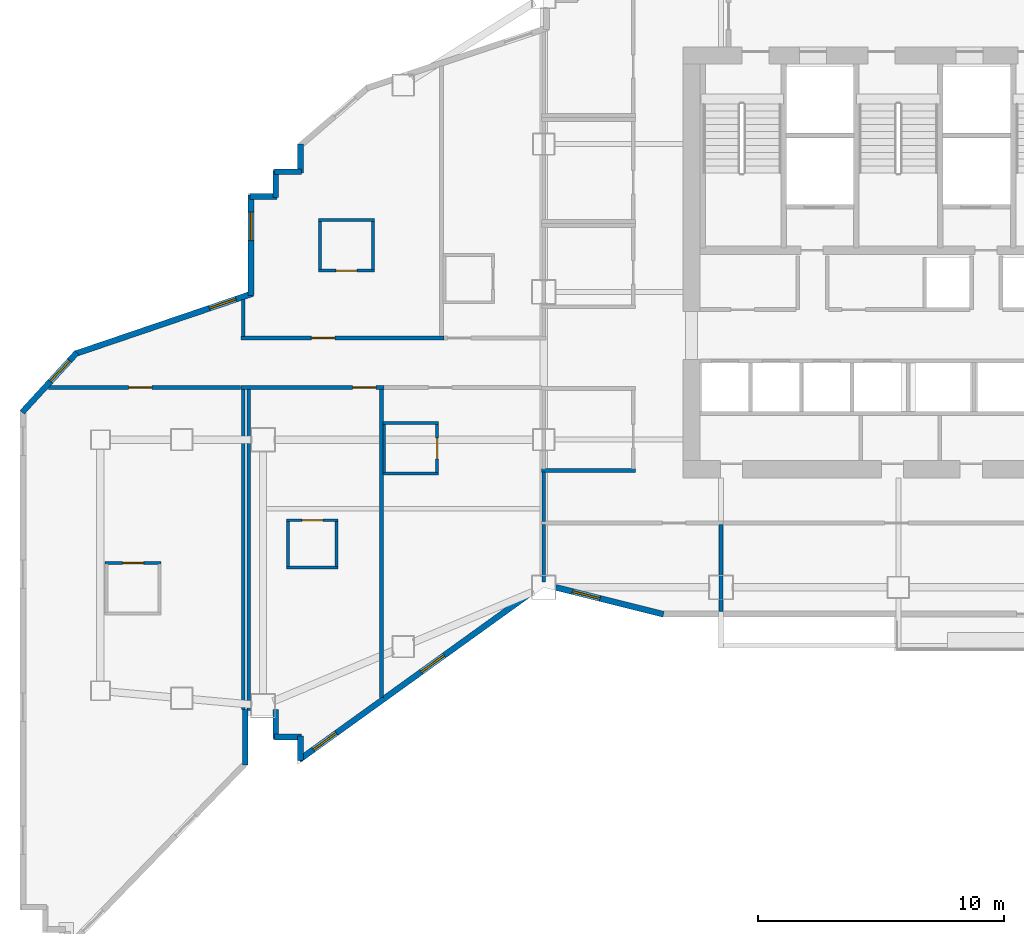
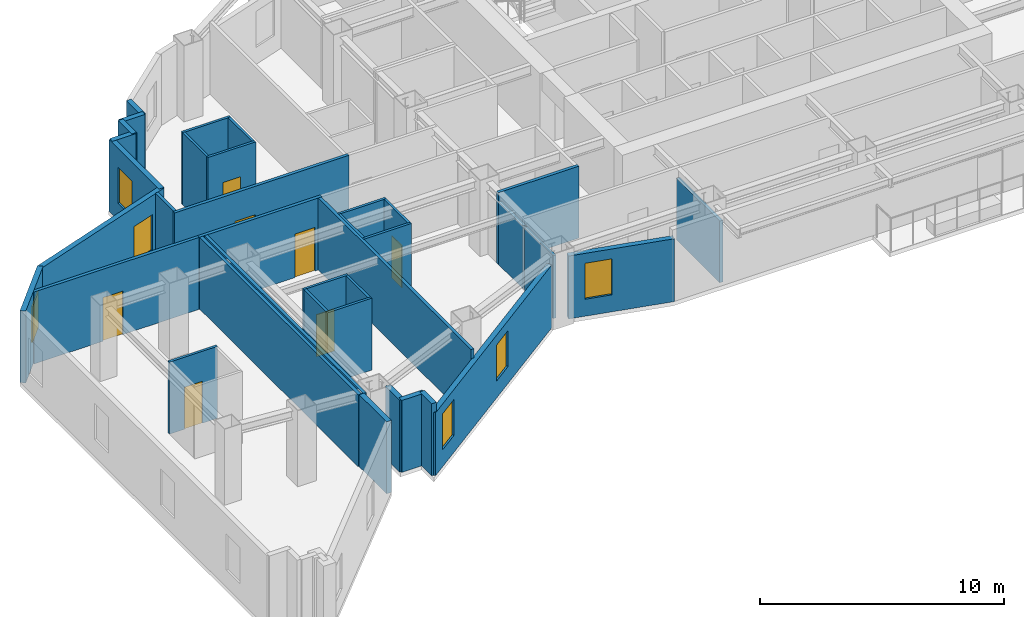
# One storey, part 5 of 13: 37 walls, 7 doors, 6 windows, 13 openings.
"""IFC4 building model written with IfcOpenShell, lengths in metres."""

from ifc_helpers import new_model, si_unit, direction, frame, frame_2d, origin, place, context, subcontext, project, spatial, rectangle, extrude, material, layer, layer_set, type_object, element, fill, save


model = new_model("IFC4")

# Units and contexts
model_context = context("Model", 3, precision=1e-05, world=origin(), true_north=direction((0.0, 1.0)))
body_context = subcontext(model_context, "Body", "Model", "MODEL_VIEW")
ifc_project = project(units=[si_unit("LENGTHUNIT", "METRE"), si_unit("AREAUNIT", "SQUARE_METRE"), si_unit("VOLUMEUNIT", "CUBIC_METRE"), si_unit("PLANEANGLEUNIT", "RADIAN"), si_unit("MASSUNIT", "GRAM", prefix="KILO")], contexts=[model_context])

# Site, building, storey
site_placement = place(None, origin())
site = spatial("IfcSite", under=ifc_project, at=site_placement, CompositionType="ELEMENT")
building_placement = place(site_placement, origin())
building = spatial("IfcBuilding", under=site, at=building_placement, Name="Haolan Belvedere Tower", CompositionType="ELEMENT")
storey_placement = place(building_placement, frame((0.0, 0.0, 106.0)))
storey = spatial("IfcBuildingStorey", under=building, at=storey_placement, Name="L26", CompositionType="ELEMENT", Elevation=106.0)

# Walls
ifc_material_1 = material(Name="Precast concrete C40/50", Category="concrete")
ifc_layer_1 = layer(ifc_material_1, 0.239990234375, Name="Precast concrete C40/50")
ifc_layer_set_1 = layer_set([ifc_layer_1], Name="Precast concrete C40/50")
wall_type_1 = type_object("IfcWallType", Name="WL-EXT-240", PredefinedType="SOLIDWALL", material=ifc_layer_set_1)
wall_1_placement = place(storey_placement, frame((13.1201171875, 16.639892578125, 0.0), z_axis=(0.0, 0.0, 1.0), x_axis=(0.0, -1.0, 0.0)))
element("IfcWall", 1, at=wall_1_placement, inside=storey, type_object=wall_type_1, Name="L26 pale-metal exterior spandrel wall 2.1", PredefinedType="SOLIDWALL", context=body_context, shape_type="SweptSolid", body=[
    extrude(rectangle(XDim=1.1748046875, YDim=0.239990234375, at=frame_2d((0.58740234375, 0.0))), origin(), (0.0, 0.0, 1.0), 3.60009765625),
])
wall_2_placement = place(storey_placement, frame((13.06494140625, 15.52001953125, 0.0), z_axis=(0.0, 0.0, 1.0), x_axis=(1.0, 0.0, 0.0)))
element("IfcWall", 2, at=wall_2_placement, inside=storey, type_object=wall_type_1, Name="L26 pale-metal exterior spandrel wall 3.1", PredefinedType="SOLIDWALL", context=body_context, shape_type="SweptSolid", body=[
    extrude(rectangle(XDim=1.110107421875, YDim=0.239990234375, at=frame_2d((0.55517578125, 0.0))), origin(), (0.0, 0.0, 1.0), 3.60009765625),
])
wall_3_placement = place(storey_placement, frame((14.1201171875, 15.574951171875, 0.0), z_axis=(0.0, 0.0, 1.0), x_axis=(0.0, -1.0, 0.0)))
element("IfcWall", 3, at=wall_3_placement, inside=storey, type_object=wall_type_1, Name="L26 pale-metal exterior spandrel wall 4.1", PredefinedType="SOLIDWALL", context=body_context, shape_type="SweptSolid", body=[
    extrude(rectangle(XDim=0.99560546875, YDim=0.239990234375, at=frame_2d((0.497802734375, 0.0))), origin(), (0.0, 0.0, 1.0), 3.60009765625),
])

# Wall, openings, windows
wall_4_placement = place(storey_placement, frame((14.075439453125, 14.602294921875, 0.0), z_axis=(0.0, 0.0, 1.0), x_axis=(0.811543504691, 0.584291998913, 0.0)))
wall_4 = element("IfcWall", 4, at=wall_4_placement, inside=storey, type_object=wall_type_1, Name="L26 pale-metal exterior spandrel wall 5.1", PredefinedType="SOLIDWALL", context=body_context, shape_type="SweptSolid", body=[
    extrude(rectangle(XDim=11.623046875, YDim=0.239990234375, at=frame_2d((5.8115234375, 0.0))), origin(), (0.0, 0.0, 1.0), 3.14501953125),
])
opening_1_placement = place(wall_4_placement, frame((0.699951171875, 0.0, 0.85009765625)))
opening_1 = element("IfcOpeningElement", 5, at=opening_1_placement, cuts=wall_4, Name="Opening W-02", PredefinedType="OPENING", context=body_context, shape_type="SweptSolid", body=[
    extrude(rectangle(XDim=1.14990234375, YDim=1.800048828125, at=frame_2d((0.574951171875, 0.89990234375))), frame((0.0, 0.1298828125, 0.0), z_axis=(0.0, -1.0, 0.0), x_axis=(1.0, 0.0, 0.0)), (0.0, 0.0, 1.0), 0.260009765625),
])
opening_2_placement = place(wall_4_placement, frame((6.10009765625, 0.0, 0.85009765625)))
opening_2 = element("IfcOpeningElement", 6, at=opening_2_placement, cuts=wall_4, Name="Opening W-02", PredefinedType="OPENING", context=body_context, shape_type="SweptSolid", body=[
    extrude(rectangle(XDim=1.14990234375, YDim=1.800048828125, at=frame_2d((0.574951171875, 0.89990234375))), frame((0.0, 0.1298828125, 0.0), z_axis=(0.0, -1.0, 0.0), x_axis=(1.0, 0.0, 0.0)), (0.0, 0.0, 1.0), 0.260009765625),
])
ifc_material_2 = material(Name="Anodised aluminium 6063-T6 and Low-E glass", Category="aluminium")
window_type = type_object("IfcWindowType", Name="WN-DECO-Z2", PartitioningType="SINGLE_PANEL", PredefinedType="WINDOW", material=ifc_material_2)
window_1_placement = place(opening_1_placement, origin())
window_1 = element("IfcWindow", 7, at=window_1_placement, inside=storey, type_object=window_type, Name="L26 Art Deco chevron window 1", OverallHeight=1.800048828125, OverallWidth=1.14990234375, PartitioningType="SINGLE_PANEL", PredefinedType="WINDOW", context=body_context, shape_type="SweptSolid", body=[
    extrude(rectangle(XDim=1.14990234375, YDim=1.800048828125, at=frame_2d((0.574951171875, 0.89990234375))), frame((0.0, 0.030029296875, 0.0), z_axis=(0.0, -1.0, 0.0), x_axis=(1.0, 0.0, 0.0)), (0.0, 0.0, 1.0), 0.06005859375),
])
fill(opening_1, window_1)
window_2_placement = place(opening_2_placement, origin())
window_2 = element("IfcWindow", 8, at=window_2_placement, inside=storey, type_object=window_type, Name="L26 Art Deco chevron window 2", OverallHeight=1.800048828125, OverallWidth=1.14990234375, PartitioningType="SINGLE_PANEL", PredefinedType="WINDOW", context=body_context, shape_type="SweptSolid", body=[
    extrude(rectangle(XDim=1.14990234375, YDim=1.800048828125, at=frame_2d((0.574951171875, 0.89990234375))), frame((0.0, 0.030029296875, 0.0), z_axis=(0.0, -1.0, 0.0), x_axis=(1.0, 0.0, 0.0)), (0.0, 0.0, 1.0), 0.06005859375),
])
fill(opening_2, window_2)

# Wall, opening, window
wall_5_placement = place(storey_placement, frame((24.491943359375, 21.6005859375, 0.0), z_axis=(0.0, 0.0, 1.0), x_axis=(0.970145683738, -0.242522890311, 0.0)))
wall_5 = element("IfcWall", 9, at=wall_5_placement, inside=storey, type_object=wall_type_1, Name="L26 pale-metal exterior spandrel wall 6.1", PredefinedType="SOLIDWALL", context=body_context, shape_type="SweptSolid", body=[
    extrude(rectangle(XDim=4.510986328125, YDim=0.239990234375, at=frame_2d((2.25537109375, 0.0))), origin(), (0.0, 0.0, 1.0), 3.14501953125),
])
opening_3_placement = place(wall_5_placement, frame((0.699951171875, 0.0, 0.85009765625)))
opening_3 = element("IfcOpeningElement", 10, at=opening_3_placement, cuts=wall_5, Name="Opening W-02", PredefinedType="OPENING", context=body_context, shape_type="SweptSolid", body=[
    extrude(rectangle(XDim=1.14990234375, YDim=1.800048828125, at=frame_2d((0.574951171875, 0.89990234375))), frame((0.0, 0.1298828125, 0.0), z_axis=(0.0, -1.0, 0.0), x_axis=(1.0, 0.0, 0.0)), (0.0, 0.0, 1.0), 0.260009765625),
])
window_3_placement = place(opening_3_placement, origin())
window_3 = element("IfcWindow", 11, at=window_3_placement, inside=storey, type_object=window_type, Name="L26 Art Deco chevron window 1", OverallHeight=1.800048828125, OverallWidth=1.14990234375, PartitioningType="SINGLE_PANEL", PredefinedType="WINDOW", context=body_context, shape_type="SweptSolid", body=[
    extrude(rectangle(XDim=1.14990234375, YDim=1.800048828125, at=frame_2d((0.574951171875, 0.89990234375))), frame((0.0, 0.030029296875, 0.0), z_axis=(0.0, -1.0, 0.0), x_axis=(1.0, 0.0, 0.0)), (0.0, 0.0, 1.0), 0.06005859375),
])
fill(opening_3, window_3)

# Walls
wall_6_placement = place(storey_placement, frame((14.1201171875, 39.599853515625, 0.0), z_axis=(0.0, 0.0, 1.0), x_axis=(0.0, -1.0, 0.0)))
element("IfcWall", 12, at=wall_6_placement, inside=storey, type_object=wall_type_1, Name="L26 pale-metal exterior spandrel wall 37.1", PredefinedType="SOLIDWALL", context=body_context, shape_type="SweptSolid", body=[
    extrude(rectangle(XDim=1.1748046875, YDim=0.239990234375, at=frame_2d((0.58740234375, 0.0))), origin(), (0.0, 0.0, 1.0), 3.60009765625),
])
wall_7_placement = place(storey_placement, frame((14.175048828125, 38.47998046875, 0.0), z_axis=(0.0, 0.0, 1.0), x_axis=(-1.0, 0.0, 0.0)))
element("IfcWall", 13, at=wall_7_placement, inside=storey, type_object=wall_type_1, Name="L26 pale-metal exterior spandrel wall 38.1", PredefinedType="SOLIDWALL", context=body_context, shape_type="SweptSolid", body=[
    extrude(rectangle(XDim=1.110107421875, YDim=0.239990234375, at=frame_2d((0.55517578125, 0.0))), origin(), (0.0, 0.0, 1.0), 3.60009765625),
])
wall_8_placement = place(storey_placement, frame((13.1201171875, 38.534912109375, 0.0), z_axis=(0.0, 0.0, 1.0), x_axis=(0.0, -1.0, 0.0)))
element("IfcWall", 14, at=wall_8_placement, inside=storey, type_object=wall_type_1, Name="L26 pale-metal exterior spandrel wall 39.1", PredefinedType="SOLIDWALL", context=body_context, shape_type="SweptSolid", body=[
    extrude(rectangle(XDim=1.10986328125, YDim=0.239990234375, at=frame_2d((0.554931640625, 0.0))), origin(), (0.0, 0.0, 1.0), 3.60009765625),
])
wall_9_placement = place(storey_placement, frame((13.175048828125, 37.47998046875, 0.0), z_axis=(0.0, 0.0, 1.0), x_axis=(-1.0, 0.0, 0.0)))
element("IfcWall", 15, at=wall_9_placement, inside=storey, type_object=wall_type_1, Name="L26 pale-metal exterior spandrel wall 40.1", PredefinedType="SOLIDWALL", context=body_context, shape_type="SweptSolid", body=[
    extrude(rectangle(XDim=1.110107421875, YDim=0.239990234375, at=frame_2d((0.55517578125, 0.0))), origin(), (0.0, 0.0, 1.0), 3.60009765625),
])

# Wall, opening, window
wall_10_placement = place(storey_placement, frame((12.1201171875, 37.534912109375, 0.0), z_axis=(0.0, 0.0, 1.0), x_axis=(0.0, -1.0, 0.0)))
wall_10 = element("IfcWall", 16, at=wall_10_placement, inside=storey, type_object=wall_type_1, Name="L26 pale-metal exterior spandrel wall 41.1", PredefinedType="SOLIDWALL", context=body_context, shape_type="SweptSolid", body=[
    extrude(rectangle(XDim=4.075927734375, YDim=0.239990234375, at=frame_2d((2.0380859375, 0.0))), origin(), (0.0, 0.0, 1.0), 3.60009765625),
])
opening_4_placement = place(wall_10_placement, frame((0.699951171875, 0.0, 0.85009765625)))
opening_4 = element("IfcOpeningElement", 17, at=opening_4_placement, cuts=wall_10, Name="Opening W-02", PredefinedType="OPENING", context=body_context, shape_type="SweptSolid", body=[
    extrude(rectangle(XDim=1.14990234375, YDim=1.800048828125, at=frame_2d((0.574951171875, 0.89990234375))), frame((0.0, 0.1298828125, 0.0), z_axis=(0.0, -1.0, 0.0), x_axis=(1.0, 0.0, 0.0)), (0.0, 0.0, 1.0), 0.260009765625),
])
window_4_placement = place(opening_4_placement, origin())
window_4 = element("IfcWindow", 18, at=window_4_placement, inside=storey, type_object=window_type, Name="L26 Art Deco chevron window 1", OverallHeight=1.800048828125, OverallWidth=1.14990234375, PartitioningType="SINGLE_PANEL", PredefinedType="WINDOW", context=body_context, shape_type="SweptSolid", body=[
    extrude(rectangle(XDim=1.14990234375, YDim=1.800048828125, at=frame_2d((0.574951171875, 0.89990234375))), frame((0.0, 0.030029296875, 0.0), z_axis=(0.0, -1.0, 0.0), x_axis=(1.0, 0.0, 0.0)), (0.0, 0.0, 1.0), 0.06005859375),
])
fill(opening_4, window_4)

wall_11_placement = place(storey_placement, frame((12.172119140625, 33.53173828125, 0.0), z_axis=(0.0, 0.0, 1.0), x_axis=(-0.946792852546, -0.321843586805, 0.0)))
wall_11 = element("IfcWall", 19, at=wall_11_placement, inside=storey, type_object=wall_type_1, Name="L26 pale-metal exterior spandrel wall 42.1", PredefinedType="SOLIDWALL", context=body_context, shape_type="SweptSolid", body=[
    extrude(rectangle(XDim=7.6220703125, YDim=0.239990234375, at=frame_2d((3.81103515625, 0.0))), origin(), (0.0, 0.0, 1.0), 3.60009765625),
])
opening_5_placement = place(wall_11_placement, frame((0.699951171875, 0.0, 0.85009765625)))
opening_5 = element("IfcOpeningElement", 20, at=opening_5_placement, cuts=wall_11, Name="Opening W-02", PredefinedType="OPENING", context=body_context, shape_type="SweptSolid", body=[
    extrude(rectangle(XDim=1.14990234375, YDim=1.800048828125, at=frame_2d((0.574951171875, 0.89990234375))), frame((0.0, 0.1298828125, 0.0), z_axis=(0.0, -1.0, 0.0), x_axis=(1.0, 0.0, 0.0)), (0.0, 0.0, 1.0), 0.260009765625),
])
window_5_placement = place(opening_5_placement, origin())
window_5 = element("IfcWindow", 21, at=window_5_placement, inside=storey, type_object=window_type, Name="L26 Art Deco chevron window 1", OverallHeight=1.800048828125, OverallWidth=1.14990234375, PartitioningType="SINGLE_PANEL", PredefinedType="WINDOW", context=body_context, shape_type="SweptSolid", body=[
    extrude(rectangle(XDim=1.14990234375, YDim=1.800048828125, at=frame_2d((0.574951171875, 0.89990234375))), frame((0.0, 0.030029296875, 0.0), z_axis=(0.0, -1.0, 0.0), x_axis=(1.0, 0.0, 0.0)), (0.0, 0.0, 1.0), 0.06005859375),
])
fill(opening_5, window_5)

wall_12_placement = place(storey_placement, frame((5.044921875, 31.13671875, 0.0), z_axis=(0.0, 0.0, 1.0), x_axis=(-0.675778419356, -0.73710482832, 0.0)))
wall_12 = element("IfcWall", 22, at=wall_12_placement, inside=storey, type_object=wall_type_1, Name="L26 pale-metal exterior spandrel wall 43.1", PredefinedType="SOLIDWALL", context=body_context, shape_type="SweptSolid", body=[
    extrude(rectangle(XDim=3.288330078125, YDim=0.239990234375, at=frame_2d((1.64404296875, 0.0))), origin(), (0.0, 0.0, 1.0), 3.60009765625),
])
opening_6_placement = place(wall_12_placement, frame((0.440673828125, 0.0, 0.85009765625)))
opening_6 = element("IfcOpeningElement", 23, at=opening_6_placement, cuts=wall_12, Name="Opening W-02", PredefinedType="OPENING", context=body_context, shape_type="SweptSolid", body=[
    extrude(rectangle(XDim=1.14990234375, YDim=1.800048828125, at=frame_2d((0.574951171875, 0.89990234375))), frame((0.0, 0.1298828125, 0.0), z_axis=(0.0, -1.0, 0.0), x_axis=(1.0, 0.0, 0.0)), (0.0, 0.0, 1.0), 0.260009765625),
])
window_6_placement = place(opening_6_placement, origin())
window_6 = element("IfcWindow", 24, at=window_6_placement, inside=storey, type_object=window_type, Name="L26 Art Deco chevron window 1", OverallHeight=1.800048828125, OverallWidth=1.14990234375, PartitioningType="SINGLE_PANEL", PredefinedType="WINDOW", context=body_context, shape_type="SweptSolid", body=[
    extrude(rectangle(XDim=1.14990234375, YDim=1.800048828125, at=frame_2d((0.574951171875, 0.89990234375))), frame((0.0, 0.030029296875, 0.0), z_axis=(0.0, -1.0, 0.0), x_axis=(1.0, 0.0, 0.0)), (0.0, 0.0, 1.0), 0.06005859375),
])
fill(opening_6, window_6)

# Walls
wall_13_placement = place(storey_placement, frame((11.8798828125, 14.3935546875, 0.0), z_axis=(0.0, 0.0, 1.0), x_axis=(0.0, 1.0, 0.0)))
element("IfcWall", 25, at=wall_13_placement, inside=storey, type_object=wall_type_1, Name="L26 pale-metal exterior spandrel wall 50.1", PredefinedType="SOLIDWALL", context=body_context, shape_type="SweptSolid", body=[
    extrude(rectangle(XDim=2.246337890625, YDim=0.239990234375, at=frame_2d((1.123046875, 0.0))), origin(), (0.0, 0.0, 1.0), 3.60009765625),
])
ifc_material_3 = material(Name="Double gypsum acoustic stud partition", Category="masonry")
ifc_layer_2 = layer(ifc_material_3, 0.14990234375, Name="Double gypsum acoustic stud partition")
ifc_layer_set_2 = layer_set([ifc_layer_2], Name="Double gypsum acoustic stud partition")
wall_type_2 = type_object("IfcWallType", Name="WL-PART-150", PredefinedType="PARTITIONING", material=ifc_layer_set_2)
wall_14_placement = place(storey_placement, frame((23.919921875, 26.35009765625, 0.0), z_axis=(0.0, 0.0, 1.0), x_axis=(1.0, 0.0, 0.0)))
element("IfcWall", 26, at=wall_14_placement, inside=storey, type_object=wall_type_2, Name="L26 interior partition IW-L26-PKTW-S", PredefinedType="PARTITIONING", context=body_context, shape_type="SweptSolid", body=[
    extrude(rectangle(XDim=3.800048828125, YDim=0.14990234375, at=frame_2d((1.89990234375, 0.0))), origin(), (0.0, 0.0, 1.0), 3.60009765625),
])
wall_15_placement = place(storey_placement, frame((24.0, 21.818603515625, 0.0), z_axis=(0.0, 0.0, 1.0), x_axis=(0.0, 1.0, 0.0)))
element("IfcWall", 27, at=wall_15_placement, inside=storey, type_object=wall_type_2, Name="L26 interior partition IW-L26-KS1-W", PredefinedType="PARTITIONING", context=body_context, shape_type="SweptSolid", body=[
    extrude(rectangle(XDim=2.34130859375, YDim=0.14990234375, at=frame_2d((1.170654296875, 0.0))), origin(), (0.0, 0.0, 1.0), 3.14501953125),
])
wall_16_placement = place(storey_placement, frame((31.199951171875, 20.625, 0.0), z_axis=(0.0, 0.0, 1.0), x_axis=(0.0, 1.0, 0.0)))
element("IfcWall", 28, at=wall_16_placement, inside=storey, type_object=wall_type_2, Name="L26 interior partition IW-L26-KS1-E", PredefinedType="PARTITIONING", context=body_context, shape_type="SweptSolid", body=[
    extrude(rectangle(XDim=3.534912109375, YDim=0.14990234375, at=frame_2d((1.767578125, 0.0))), origin(), (0.0, 0.0, 1.0), 3.0849609375),
])

# Wall, opening, door
wall_17_placement = place(storey_placement, frame((11.699951171875, 31.72998046875, 0.0), z_axis=(0.0, 0.0, 1.0), x_axis=(1.0, 0.0, 0.0)))
wall_17 = element("IfcWall", 29, at=wall_17_placement, inside=storey, type_object=wall_type_2, Name="L26 interior partition IW-L26-T2N1-S", PredefinedType="PARTITIONING", context=body_context, shape_type="SweptSolid", body=[
    extrude(rectangle(XDim=8.25, YDim=0.14990234375, at=frame_2d((4.125, 0.0))), origin(), (0.0, 0.0, 1.0), 3.60009765625),
])
opening_7_placement = place(wall_17_placement, frame((2.866455078125, 0.0, 0.0)))
opening_7 = element("IfcOpeningElement", 30, at=opening_7_placement, cuts=wall_17, Name="Opening ID-01", PredefinedType="OPENING", context=body_context, shape_type="SweptSolid", body=[
    extrude(rectangle(XDim=0.949951171875, YDim=2.179931640625, at=frame_2d((0.47509765625, 1.08984375))), frame((0.0, 0.0849609375, 0.0), z_axis=(0.0, -1.0, 0.0), x_axis=(1.0, 0.0, 0.0)), (0.0, 0.0, 1.0), 0.169921875),
])
ifc_material_4 = material(Name="Acoustic walnut veneer fire-rated timber", Category="wood")
door_type_1 = type_object("IfcDoorType", Name="DR-SUITE-950", OperationType="NOTDEFINED", PredefinedType="DOOR", material=ifc_material_4)
door_1_placement = place(opening_7_placement, origin())
door_1 = element("IfcDoor", 31, at=door_1_placement, inside=storey, type_object=door_type_1, Name="L26 door ID-L26-T2N1-ENT", OperationType="SINGLE_SWING_LEFT", OverallHeight=2.179931640625, OverallWidth=0.949951171875, PredefinedType="DOOR", context=body_context, shape_type="SweptSolid", body=[
    extrude(rectangle(XDim=0.949951171875, YDim=2.179931640625, at=frame_2d((0.47509765625, 1.08984375))), frame((0.0, 0.02490234375, 0.0), z_axis=(0.0, -1.0, 0.0), x_axis=(1.0, 0.0, 0.0)), (0.0, 0.0, 1.0), 0.050048828125),
])
fill(opening_7, door_1)

# Wall
wall_18_placement = place(storey_placement, frame((11.800048828125, 31.7900390625, 0.0), z_axis=(0.0, 0.0, 1.0), x_axis=(0.0, 1.0, 0.0)))
element("IfcWall", 32, at=wall_18_placement, inside=storey, type_object=wall_type_2, Name="L26 interior partition IW-L26-T2N1-W", PredefinedType="PARTITIONING", context=body_context, shape_type="SweptSolid", body=[
    extrude(rectangle(XDim=1.504150390625, YDim=0.14990234375, at=frame_2d((0.751953125, 0.0))), origin(), (0.0, 0.0, 1.0), 3.60009765625),
])

# Wall, opening, door
wall_19_placement = place(storey_placement, frame((11.699951171875, 29.719970703125, 0.0), z_axis=(0.0, 0.0, 1.0), x_axis=(1.0, 0.0, 0.0)))
wall_19 = element("IfcWall", 33, at=wall_19_placement, inside=storey, type_object=wall_type_2, Name="L26 interior partition IW-L26-T2S1-N", PredefinedType="PARTITIONING", context=body_context, shape_type="SweptSolid", body=[
    extrude(rectangle(XDim=5.81005859375, YDim=0.14990234375, at=frame_2d((2.905029296875, 0.0))), origin(), (0.0, 0.0, 1.0), 3.60009765625),
])
opening_8_placement = place(wall_19_placement, frame((5.48779296875, 0.0, 0.0), z_axis=(0.0, 0.0, 1.0), x_axis=(-1.0, 0.0, 0.0)))
opening_8 = element("IfcOpeningElement", 34, at=opening_8_placement, cuts=wall_19, Name="Opening ID-01", PredefinedType="OPENING", context=body_context, shape_type="SweptSolid", body=[
    extrude(rectangle(XDim=0.949951171875, YDim=2.179931640625, at=frame_2d((0.47509765625, 1.08984375))), frame((0.0, 0.0849609375, 0.0), z_axis=(0.0, -1.0, 0.0), x_axis=(1.0, 0.0, 0.0)), (0.0, 0.0, 1.0), 0.169921875),
])
door_2_placement = place(opening_8_placement, origin())
door_2 = element("IfcDoor", 35, at=door_2_placement, inside=storey, type_object=door_type_1, Name="L26 door ID-L26-T2S1-ENT", OperationType="SINGLE_SWING_LEFT", OverallHeight=2.179931640625, OverallWidth=0.949951171875, PredefinedType="DOOR", context=body_context, shape_type="SweptSolid", body=[
    extrude(rectangle(XDim=0.949951171875, YDim=2.179931640625, at=frame_2d((0.47509765625, 1.08984375))), frame((0.0, 0.02490234375, 0.0), z_axis=(0.0, -1.0, 0.0), x_axis=(1.0, 0.0, 0.0)), (0.0, 0.0, 1.0), 0.050048828125),
])
fill(opening_8, door_2)

# Walls
wall_20_placement = place(storey_placement, frame((11.800048828125, 16.64208984375, 0.0), z_axis=(0.0, 0.0, 1.0), x_axis=(0.0, 1.0, 0.0)))
element("IfcWall", 36, at=wall_20_placement, inside=storey, type_object=wall_type_2, Name="L26 interior partition IW-L26-T2S1-W", PredefinedType="PARTITIONING", context=body_context, shape_type="SweptSolid", body=[
    extrude(rectangle(XDim=13.017822265625, YDim=0.14990234375, at=frame_2d((6.5087890625, 0.0))), origin(), (0.0, 0.0, 1.0), 3.60009765625),
])
wall_21_placement = place(storey_placement, frame((17.409912109375, 17.132568359375, 0.0), z_axis=(0.0, 0.0, 1.0), x_axis=(0.0, 1.0, 0.0)))
element("IfcWall", 37, at=wall_21_placement, inside=storey, type_object=wall_type_2, Name="L26 interior partition IW-L26-T2S1-E", PredefinedType="PARTITIONING", context=body_context, shape_type="SweptSolid", body=[
    extrude(rectangle(XDim=12.52734375, YDim=0.14990234375, at=frame_2d((6.263671875, 0.0))), origin(), (0.0, 0.0, 1.0), 3.60009765625),
])
wall_22_placement = place(storey_placement, frame((24.0, 24.280029296875, 0.0), z_axis=(0.0, 0.0, 1.0), x_axis=(0.0, 1.0, 0.0)))
element("IfcWall", 38, at=wall_22_placement, inside=storey, type_object=wall_type_2, Name="L26 interior partition IW-L26-T2S2-E", PredefinedType="PARTITIONING", context=body_context, shape_type="SweptSolid", body=[
    extrude(rectangle(XDim=2.010009765625, YDim=0.14990234375, at=frame_2d((1.0048828125, 0.0))), origin(), (0.0, 0.0, 1.0), 3.14501953125),
])

# Wall, opening, door
wall_23_placement = place(storey_placement, frame((3.888671875, 29.719970703125, 0.0), z_axis=(0.0, 0.0, 1.0), x_axis=(1.0, 0.0, 0.0)))
wall_23 = element("IfcWall", 39, at=wall_23_placement, inside=storey, type_object=wall_type_2, Name="L26 interior partition IW-L26-T1S1-N", PredefinedType="PARTITIONING", context=body_context, shape_type="SweptSolid", body=[
    extrude(rectangle(XDim=7.809326171875, YDim=0.14990234375, at=frame_2d((3.90478515625, 0.0))), origin(), (0.0, 0.0, 1.0), 3.60009765625),
])
opening_9_placement = place(wall_23_placement, frame((4.204833984375, 0.0, 0.0), z_axis=(0.0, 0.0, 1.0), x_axis=(-1.0, 0.0, 0.0)))
opening_9 = element("IfcOpeningElement", 40, at=opening_9_placement, cuts=wall_23, Name="Opening ID-01", PredefinedType="OPENING", context=body_context, shape_type="SweptSolid", body=[
    extrude(rectangle(XDim=0.949951171875, YDim=2.179931640625, at=frame_2d((0.47509765625, 1.08984375))), frame((0.0, 0.0849609375, 0.0), z_axis=(0.0, -1.0, 0.0), x_axis=(1.0, 0.0, 0.0)), (0.0, 0.0, 1.0), 0.169921875),
])
door_3_placement = place(opening_9_placement, origin())
door_3 = element("IfcDoor", 41, at=door_3_placement, inside=storey, type_object=door_type_1, Name="L26 door ID-L26-T1S1-ENT", OperationType="SINGLE_SWING_LEFT", OverallHeight=2.179931640625, OverallWidth=0.949951171875, PredefinedType="DOOR", context=body_context, shape_type="SweptSolid", body=[
    extrude(rectangle(XDim=0.949951171875, YDim=2.179931640625, at=frame_2d((0.47509765625, 1.08984375))), frame((0.0, 0.02490234375, 0.0), z_axis=(0.0, -1.0, 0.0), x_axis=(1.0, 0.0, 0.0)), (0.0, 0.0, 1.0), 0.050048828125),
])
fill(opening_9, door_3)

# Walls
wall_24_placement = place(storey_placement, frame((12.02001953125, 16.612060546875, 0.0), z_axis=(0.0, 0.0, 1.0), x_axis=(0.0, 1.0, 0.0)))
element("IfcWall", 42, at=wall_24_placement, inside=storey, type_object=wall_type_2, Name="L26 interior partition IW-L26-T1S1-E", PredefinedType="PARTITIONING", context=body_context, shape_type="SweptSolid", body=[
    extrude(rectangle(XDim=13.0478515625, YDim=0.14990234375, at=frame_2d((6.52392578125, 0.0))), origin(), (0.0, 0.0, 1.0), 3.60009765625),
])
ifc_material_5 = material(Name="Moisture-resistant gypsum tile partition", Category="masonry")
ifc_layer_3 = layer(ifc_material_5, 0.1201171875, Name="Moisture-resistant gypsum tile partition")
ifc_layer_set_3 = layer_set([ifc_layer_3], Name="Moisture-resistant gypsum tile partition")
wall_type_3 = type_object("IfcWallType", Name="WL-WET-120", PredefinedType="PARTITIONING", material=ifc_layer_set_3)
wall_25_placement = place(storey_placement, frame((14.85498046875, 36.512939453125, 0.0), z_axis=(0.0, 0.0, 1.0), x_axis=(1.0, 0.0, 0.0)))
element("IfcWall", 43, at=wall_25_placement, inside=storey, type_object=wall_type_3, Name="L26 interior partition IW-L26-T2N1-BN", PredefinedType="PARTITIONING", context=body_context, shape_type="SweptSolid", body=[
    extrude(rectangle(XDim=2.27001953125, YDim=0.1201171875, at=frame_2d((1.135009765625, 0.0))), origin(), (0.0, 0.0, 1.0), 3.60009765625),
])

# Wall, opening, door
wall_26_placement = place(storey_placement, frame((14.85498046875, 34.462890625, 0.0), z_axis=(0.0, 0.0, 1.0), x_axis=(1.0, 0.0, 0.0)))
wall_26 = element("IfcWall", 44, at=wall_26_placement, inside=storey, type_object=wall_type_3, Name="L26 interior partition IW-L26-T2N1-BS", PredefinedType="PARTITIONING", context=body_context, shape_type="SweptSolid", body=[
    extrude(rectangle(XDim=2.27001953125, YDim=0.1201171875, at=frame_2d((1.135009765625, 0.0))), origin(), (0.0, 0.0, 1.0), 3.60009765625),
])
opening_10_placement = place(wall_26_placement, frame((0.7099609375, 0.0, 0.0)))
opening_10 = element("IfcOpeningElement", 45, at=opening_10_placement, cuts=wall_26, Name="Opening ID-05", PredefinedType="OPENING", context=body_context, shape_type="SweptSolid", body=[
    extrude(rectangle(XDim=0.85009765625, YDim=2.10009765625, at=frame_2d((0.425048828125, 1.050048828125))), frame((0.0, 0.070068359375, 0.0), z_axis=(0.0, -1.0, 0.0), x_axis=(1.0, 0.0, 0.0)), (0.0, 0.0, 1.0), 0.14013671875),
])
ifc_material_6 = material(Name="Moisture-resistant lacquered timber", Category="wood")
door_type_2 = type_object("IfcDoorType", Name="DR-BATH-850", OperationType="NOTDEFINED", PredefinedType="DOOR", material=ifc_material_6)
door_4_placement = place(opening_10_placement, origin())
door_4 = element("IfcDoor", 46, at=door_4_placement, inside=storey, type_object=door_type_2, Name="L26 door ID-L26-T2N1-BATH", OperationType="SINGLE_SWING_RIGHT", OverallHeight=2.10009765625, OverallWidth=0.85009765625, PredefinedType="DOOR", context=body_context, shape_type="SweptSolid", body=[
    extrude(rectangle(XDim=0.85009765625, YDim=2.10009765625, at=frame_2d((0.425048828125, 1.050048828125))), frame((0.0, 0.02490234375, 0.0), z_axis=(0.0, -1.0, 0.0), x_axis=(1.0, 0.0, 0.0)), (0.0, 0.0, 1.0), 0.050048828125),
])
fill(opening_10, door_4)

# Walls
for number, where, z_axis, x_axis, name in (
    (47, (14.9150390625, 34.508056640625, 0.0), (0.0, 0.0, 1.0), (0.0, 1.0, 0.0), "L26 interior partition IW-L26-T2N1-BW"),
    (48, (17.06494140625, 34.508056640625, 0.0), (0.0, 0.0, 1.0), (0.0, 1.0, 0.0), "L26 interior partition IW-L26-T2N1-BE"),
):
    element("IfcWall", number, at=place(storey_placement, frame(where, z_axis=z_axis, x_axis=x_axis)), inside=storey, type_object=wall_type_3, Name=name, PredefinedType="PARTITIONING", context=body_context, shape_type="SweptSolid", body=[
        extrude(rectangle(XDim=1.9599609375, YDim=0.1201171875, at=frame_2d((0.97998046875, 0.0))), origin(), (0.0, 0.0, 1.0), 3.60009765625),
    ])

# Wall, opening, door
wall_27_placement = place(storey_placement, frame((13.554931640625, 24.327880859375, 0.0), z_axis=(0.0, 0.0, 1.0), x_axis=(1.0, 0.0, 0.0)))
wall_27 = element("IfcWall", 49, at=wall_27_placement, inside=storey, type_object=wall_type_3, Name="L26 interior partition IW-L26-T2S1-BN", PredefinedType="PARTITIONING", context=body_context, shape_type="SweptSolid", body=[
    extrude(rectangle(XDim=2.10009765625, YDim=0.1201171875, at=frame_2d((1.050048828125, 0.0))), origin(), (0.0, 0.0, 1.0), 3.60009765625),
])
opening_11_placement = place(wall_27_placement, frame((1.47509765625, 0.0, 0.0), z_axis=(0.0, 0.0, 1.0), x_axis=(-1.0, 0.0, 0.0)))
opening_11 = element("IfcOpeningElement", 50, at=opening_11_placement, cuts=wall_27, Name="Opening ID-05", PredefinedType="OPENING", context=body_context, shape_type="SweptSolid", body=[
    extrude(rectangle(XDim=0.85009765625, YDim=2.10009765625, at=frame_2d((0.425048828125, 1.050048828125))), frame((0.0, 0.070068359375, 0.0), z_axis=(0.0, -1.0, 0.0), x_axis=(1.0, 0.0, 0.0)), (0.0, 0.0, 1.0), 0.14013671875),
])
door_5_placement = place(opening_11_placement, origin())
door_5 = element("IfcDoor", 51, at=door_5_placement, inside=storey, type_object=door_type_2, Name="L26 door ID-L26-T2S1-BATH", OperationType="SINGLE_SWING_RIGHT", OverallHeight=2.10009765625, OverallWidth=0.85009765625, PredefinedType="DOOR", context=body_context, shape_type="SweptSolid", body=[
    extrude(rectangle(XDim=0.85009765625, YDim=2.10009765625, at=frame_2d((0.425048828125, 1.050048828125))), frame((0.0, 0.02490234375, 0.0), z_axis=(0.0, -1.0, 0.0), x_axis=(1.0, 0.0, 0.0)), (0.0, 0.0, 1.0), 0.050048828125),
])
fill(opening_11, door_5)

# Walls
wall_28_placement = place(storey_placement, frame((13.554931640625, 22.407958984375, 0.0), z_axis=(0.0, 0.0, 1.0), x_axis=(1.0, 0.0, 0.0)))
element("IfcWall", 52, at=wall_28_placement, inside=storey, type_object=wall_type_3, Name="L26 interior partition IW-L26-T2S1-BS", PredefinedType="PARTITIONING", context=body_context, shape_type="SweptSolid", body=[
    extrude(rectangle(XDim=2.10009765625, YDim=0.1201171875, at=frame_2d((1.050048828125, 0.0))), origin(), (0.0, 0.0, 1.0), 3.60009765625),
])
for number, where, z_axis, x_axis, name in (
    (53, (13.614990234375, 22.452880859375, 0.0), (0.0, 0.0, 1.0), (0.0, 1.0, 0.0), "L26 interior partition IW-L26-T2S1-BW"),
    (54, (15.594970703125, 22.452880859375, 0.0), (0.0, 0.0, 1.0), (0.0, 1.0, 0.0), "L26 interior partition IW-L26-T2S1-BE"),
):
    element("IfcWall", number, at=place(storey_placement, frame(where, z_axis=z_axis, x_axis=x_axis)), inside=storey, type_object=wall_type_3, Name=name, PredefinedType="PARTITIONING", context=body_context, shape_type="SweptSolid", body=[
        extrude(rectangle(XDim=1.830078125, YDim=0.1201171875, at=frame_2d((0.9150390625, 0.0))), origin(), (0.0, 0.0, 1.0), 3.60009765625),
    ])
for number, where, z_axis, x_axis, name in (
    (55, (17.469970703125, 28.27001953125, 0.0), (0.0, 0.0, 1.0), (1.0, 0.0, 0.0), "L26 interior partition IW-L26-T2S2-BN"),
    (56, (17.469970703125, 26.219970703125, 0.0), (0.0, 0.0, 1.0), (1.0, 0.0, 0.0), "L26 interior partition IW-L26-T2S2-BS"),
):
    element("IfcWall", number, at=place(storey_placement, frame(where, z_axis=z_axis, x_axis=x_axis)), inside=storey, type_object=wall_type_3, Name=name, PredefinedType="PARTITIONING", context=body_context, shape_type="SweptSolid", body=[
        extrude(rectangle(XDim=2.26513671875, YDim=0.1201171875, at=frame_2d((1.132568359375, 0.0))), origin(), (0.0, 0.0, 1.0), 3.60009765625),
    ])
wall_29_placement = place(storey_placement, frame((17.52490234375, 26.264892578125, 0.0), z_axis=(0.0, 0.0, 1.0), x_axis=(0.0, 1.0, 0.0)))
element("IfcWall", 57, at=wall_29_placement, inside=storey, type_object=wall_type_3, Name="L26 interior partition IW-L26-T2S2-BW", PredefinedType="PARTITIONING", context=body_context, shape_type="SweptSolid", body=[
    extrude(rectangle(XDim=1.960205078125, YDim=0.1201171875, at=frame_2d((0.97998046875, 0.0))), origin(), (0.0, 0.0, 1.0), 3.60009765625),
])

# Wall, opening, door
wall_30_placement = place(storey_placement, frame((19.675048828125, 26.264892578125, 0.0), z_axis=(0.0, 0.0, 1.0), x_axis=(0.0, 1.0, 0.0)))
wall_30 = element("IfcWall", 58, at=wall_30_placement, inside=storey, type_object=wall_type_3, Name="L26 interior partition IW-L26-T2S2-BE", PredefinedType="PARTITIONING", context=body_context, shape_type="SweptSolid", body=[
    extrude(rectangle(XDim=1.960205078125, YDim=0.1201171875, at=frame_2d((0.97998046875, 0.0))), origin(), (0.0, 0.0, 1.0), 3.60009765625),
])
opening_12_placement = place(wall_30_placement, frame((0.554931640625, 0.0, 0.0)))
opening_12 = element("IfcOpeningElement", 59, at=opening_12_placement, cuts=wall_30, Name="Opening ID-05", PredefinedType="OPENING", context=body_context, shape_type="SweptSolid", body=[
    extrude(rectangle(XDim=0.85009765625, YDim=2.10009765625, at=frame_2d((0.425048828125, 1.050048828125))), frame((0.0, 0.070068359375, 0.0), z_axis=(0.0, -1.0, 0.0), x_axis=(1.0, 0.0, 0.0)), (0.0, 0.0, 1.0), 0.14013671875),
])
door_6_placement = place(opening_12_placement, origin())
door_6 = element("IfcDoor", 60, at=door_6_placement, inside=storey, type_object=door_type_2, Name="L26 door ID-L26-T2S2-BATH", OperationType="SINGLE_SWING_LEFT", OverallHeight=2.10009765625, OverallWidth=0.85009765625, PredefinedType="DOOR", context=body_context, shape_type="SweptSolid", body=[
    extrude(rectangle(XDim=0.85009765625, YDim=2.10009765625, at=frame_2d((0.425048828125, 1.050048828125))), frame((0.0, 0.02490234375, 0.0), z_axis=(0.0, -1.0, 0.0), x_axis=(1.0, 0.0, 0.0)), (0.0, 0.0, 1.0), 0.050048828125),
])
fill(opening_12, door_6)

wall_31_placement = place(storey_placement, frame((6.193115234375, 22.590087890625, 0.0), z_axis=(0.0, 0.0, 1.0), x_axis=(1.0, 0.0, 0.0)))
wall_31 = element("IfcWall", 61, at=wall_31_placement, inside=storey, type_object=wall_type_3, Name="L26 interior partition IW-L26-T1S1-BN", PredefinedType="PARTITIONING", context=body_context, shape_type="SweptSolid", body=[
    extrude(rectangle(XDim=2.269775390625, YDim=0.1201171875, at=frame_2d((1.134765625, 0.0))), origin(), (0.0, 0.0, 1.0), 3.60009765625),
])
opening_13_placement = place(wall_31_placement, frame((1.56005859375, 0.0, 0.0), z_axis=(0.0, 0.0, 1.0), x_axis=(-1.0, 0.0, 0.0)))
opening_13 = element("IfcOpeningElement", 62, at=opening_13_placement, cuts=wall_31, Name="Opening ID-05", PredefinedType="OPENING", context=body_context, shape_type="SweptSolid", body=[
    extrude(rectangle(XDim=0.85009765625, YDim=2.10009765625, at=frame_2d((0.425048828125, 1.050048828125))), frame((0.0, 0.070068359375, 0.0), z_axis=(0.0, -1.0, 0.0), x_axis=(1.0, 0.0, 0.0)), (0.0, 0.0, 1.0), 0.14013671875),
])
door_7_placement = place(opening_13_placement, origin())
door_7 = element("IfcDoor", 63, at=door_7_placement, inside=storey, type_object=door_type_2, Name="L26 door ID-L26-T1S1-BATH", OperationType="SINGLE_SWING_RIGHT", OverallHeight=2.10009765625, OverallWidth=0.85009765625, PredefinedType="DOOR", context=body_context, shape_type="SweptSolid", body=[
    extrude(rectangle(XDim=0.85009765625, YDim=2.10009765625, at=frame_2d((0.425048828125, 1.050048828125))), frame((0.0, 0.02490234375, 0.0), z_axis=(0.0, -1.0, 0.0), x_axis=(1.0, 0.0, 0.0)), (0.0, 0.0, 1.0), 0.050048828125),
])
fill(opening_13, door_7)

save(model, "model.ifc")
